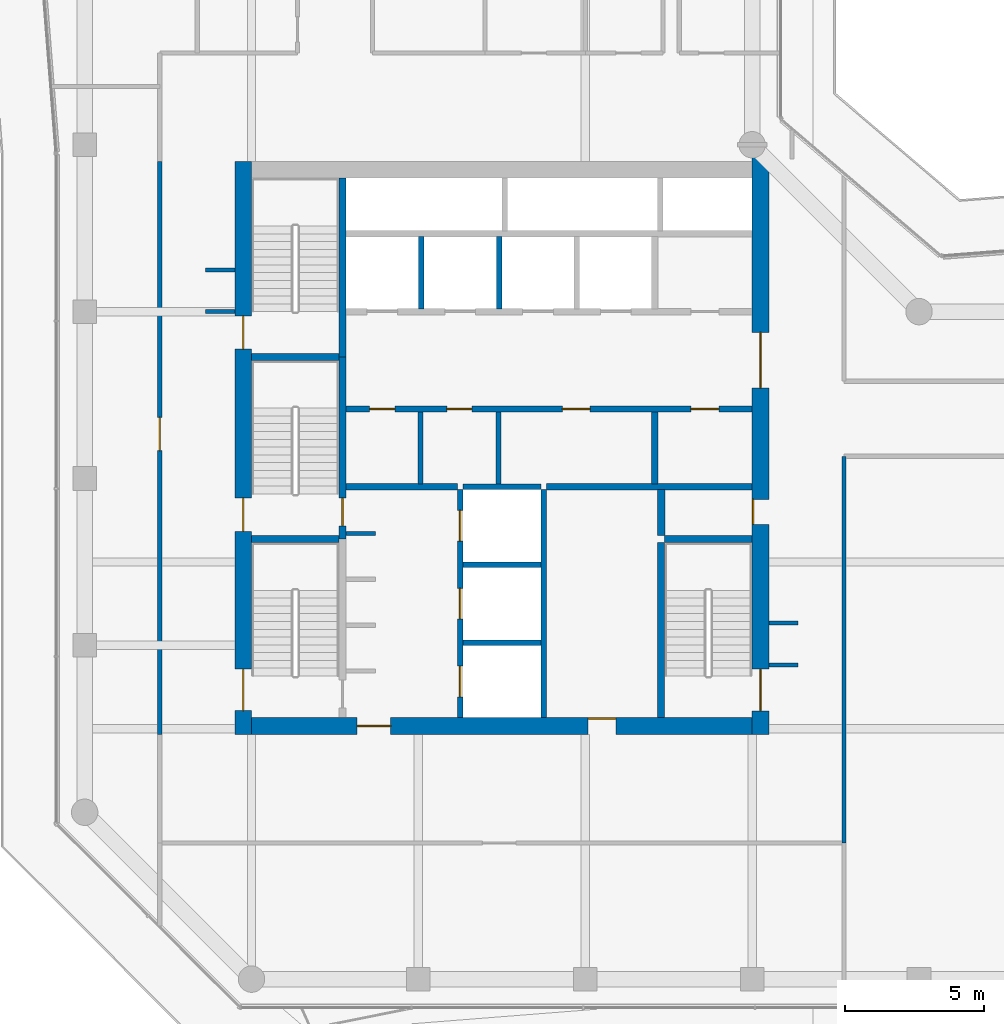
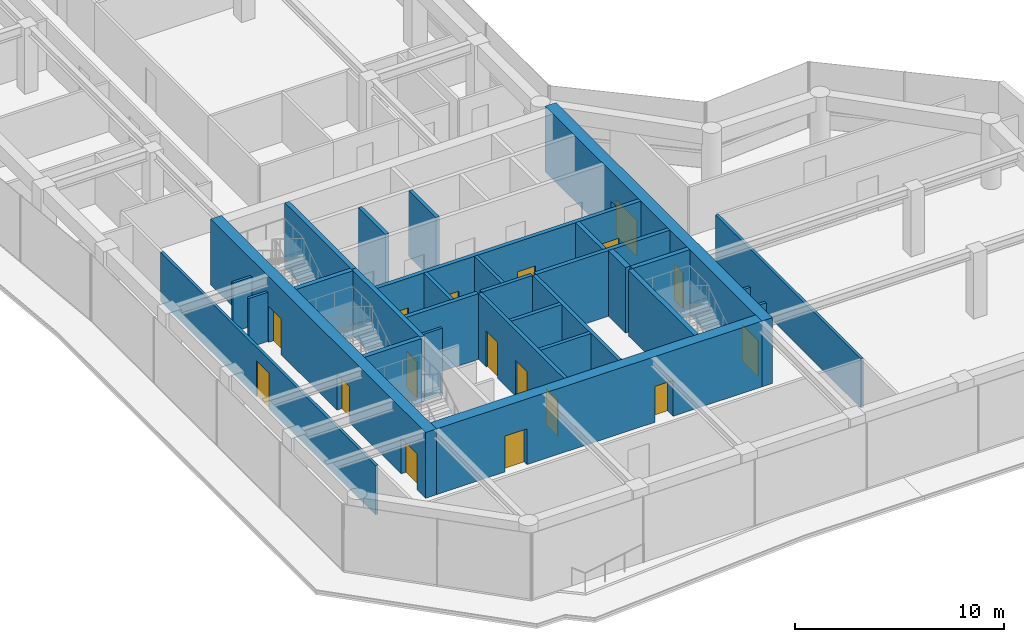
# One storey, part 19 of 23: 30 walls, 17 doors, 17 openings.
"""IFC4 building model written with IfcOpenShell, lengths in metres."""

from ifc_helpers import new_model, si_unit, direction, frame, frame_2d, origin, place, context, subcontext, project, spatial, rectangle, extrude, material, layer, layer_set, type_object, element, fill, save


model = new_model("IFC4")

# Units and contexts
model_context = context("Model", 3, precision=1e-05, world=origin(), true_north=direction((0.0, 1.0)))
body_context = subcontext(model_context, "Body", "Model", "MODEL_VIEW")
ifc_project = project(units=[si_unit("LENGTHUNIT", "METRE"), si_unit("AREAUNIT", "SQUARE_METRE"), si_unit("VOLUMEUNIT", "CUBIC_METRE"), si_unit("PLANEANGLEUNIT", "RADIAN"), si_unit("MASSUNIT", "GRAM", prefix="KILO")], contexts=[model_context])

# Site, building, storey
site_placement = place(None, origin())
site = spatial("IfcSite", under=ifc_project, at=site_placement, CompositionType="ELEMENT")
building_placement = place(site_placement, origin())
building = spatial("IfcBuilding", under=site, at=building_placement, Name="Welwitschia Terrace Campus", CompositionType="ELEMENT")
storey_placement = place(building_placement, frame((0.0, 0.0, 188.60009765625)))
storey = spatial("IfcBuildingStorey", under=building, at=storey_placement, Name="L42", CompositionType="ELEMENT", Elevation=188.60009765625)

# Walls
ifc_material_1 = material(Name="Concrete C32/40", Category="concrete")
ifc_layer_1 = layer(ifc_material_1, 0.175048828125)
ifc_layer_set_1 = layer_set([ifc_layer_1], Name="Concrete C32/40")
wall_type_1 = type_object("IfcWallType", Name="Core partition 175 Concrete C32/40", PredefinedType="PARTITIONING", material=ifc_layer_set_1)
for number, where, z_axis, x_axis, name in (
    (1, (12.074951171875, 13.800048828125, 0.0), (0.0, 0.0, 1.0), (0.0, 1.0, 0.0), "Core partition"),
    (2, (14.875, 13.800048828125, 0.0), (0.0, 0.0, 1.0), (0.0, 1.0, 0.0), "Core partition"),
):
    element("IfcWall", number, at=place(storey_placement, frame(where, z_axis=z_axis, x_axis=x_axis)), inside=storey, type_object=wall_type_1, Name=name, PredefinedType="PARTITIONING", context=body_context, shape_type="SweptSolid", body=[
        extrude(rectangle(XDim=2.599853515625, YDim=0.175048828125, at=frame_2d((1.2998046875, 0.0))), origin(), (0.0, 0.0, 1.0), 3.849853515625),
    ])
ifc_material_2 = material(Name="Concrete C32/40", Category="concrete")
ifc_layer_2 = layer(ifc_material_2, 0.22509765625)
ifc_layer_set_2 = layer_set([ifc_layer_2], Name="Concrete C32/40")
wall_type_2 = type_object("IfcWallType", Name="Core partition 225 Concrete C32/40", PredefinedType="PARTITIONING", material=ifc_layer_set_2)
wall_1_placement = place(storey_placement, frame((9.39990234375, 13.699951171875, 0.0), z_axis=(0.0, 0.0, 1.0), x_axis=(1.0, 0.0, 0.0)))
element("IfcWall", 3, at=wall_1_placement, inside=storey, type_object=wall_type_2, Name="Core partition", PredefinedType="PARTITIONING", context=body_context, shape_type="SweptSolid", body=[
    extrude(rectangle(XDim=4.0, YDim=0.22509765625, at=frame_2d((2.0, 0.0))), origin(), (0.0, 0.0, 1.0), 3.849853515625),
])
wall_2_placement = place(storey_placement, frame((16.60009765625, 13.699951171875, 0.0), z_axis=(0.0, 0.0, 1.0), x_axis=(1.0, 0.0, 0.0)))
element("IfcWall", 4, at=wall_2_placement, inside=storey, type_object=wall_type_2, Name="Core partition", PredefinedType="PARTITIONING", context=body_context, shape_type="SweptSolid", body=[
    extrude(rectangle(XDim=7.39990234375, YDim=0.22509765625, at=frame_2d((3.699951171875, 0.0))), origin(), (0.0, 0.0, 1.0), 3.849853515625),
])

# Wall, openings, doors
wall_3_placement = place(storey_placement, frame((9.39990234375, 16.5, 0.0), z_axis=(0.0, 0.0, 1.0), x_axis=(1.0, 0.0, 0.0)))
wall_3 = element("IfcWall", 5, at=wall_3_placement, inside=storey, type_object=wall_type_2, Name="Core partition", PredefinedType="PARTITIONING", context=body_context, shape_type="SweptSolid", body=[
    extrude(rectangle(XDim=14.60009765625, YDim=0.22509765625, at=frame_2d((7.300048828125, 0.0))), origin(), (0.0, 0.0, 1.0), 3.849853515625),
])
opening_1_placement = place(wall_3_placement, frame((0.85009765625, 0.0, 0.0)))
opening_1 = element("IfcOpeningElement", 6, at=opening_1_placement, cuts=wall_3, Name="Opening DR09", PredefinedType="OPENING", context=body_context, shape_type="SweptSolid", body=[
    extrude(rectangle(XDim=0.89990234375, YDim=2.10009765625, at=frame_2d((0.449951171875, 1.050048828125))), frame((0.0, 0.12255859375, 0.0), z_axis=(0.0, -1.0, 0.0), x_axis=(1.0, 0.0, 0.0)), (0.0, 0.0, 1.0), 0.2451171875),
])
opening_2_placement = place(wall_3_placement, frame((3.625, 0.0, 0.0)))
opening_2 = element("IfcOpeningElement", 7, at=opening_2_placement, cuts=wall_3, Name="Opening DR09", PredefinedType="OPENING", context=body_context, shape_type="SweptSolid", body=[
    extrude(rectangle(XDim=0.89990234375, YDim=2.10009765625, at=frame_2d((0.449951171875, 1.050048828125))), frame((0.0, 0.12255859375, 0.0), z_axis=(0.0, -1.0, 0.0), x_axis=(1.0, 0.0, 0.0)), (0.0, 0.0, 1.0), 0.2451171875),
])
opening_3_placement = place(wall_3_placement, frame((7.77490234375, 0.0, 0.0)))
opening_3 = element("IfcOpeningElement", 8, at=opening_3_placement, cuts=wall_3, Name="Opening DR10", PredefinedType="OPENING", context=body_context, shape_type="SweptSolid", body=[
    extrude(rectangle(XDim=1.0, YDim=2.10009765625, at=frame_2d((0.5, 1.050048828125))), frame((0.0, 0.12255859375, 0.0), z_axis=(0.0, -1.0, 0.0), x_axis=(1.0, 0.0, 0.0)), (0.0, 0.0, 1.0), 0.2451171875),
])
opening_4_placement = place(wall_3_placement, frame((12.39990234375, 0.0, 0.0)))
opening_4 = element("IfcOpeningElement", 9, at=opening_4_placement, cuts=wall_3, Name="Opening DR10", PredefinedType="OPENING", context=body_context, shape_type="SweptSolid", body=[
    extrude(rectangle(XDim=1.0, YDim=2.10009765625, at=frame_2d((0.5, 1.050048828125))), frame((0.0, 0.12255859375, 0.0), z_axis=(0.0, -1.0, 0.0), x_axis=(1.0, 0.0, 0.0)), (0.0, 0.0, 1.0), 0.2451171875),
])
ifc_material_3 = material(Name="Steel S275", Category="steel")
door_type_1 = type_object("IfcDoorType", Name="Core door DR09", OperationType="SINGLE_SWING_LEFT", PredefinedType="DOOR", material=ifc_material_3)
door_1_placement = place(opening_1_placement, origin())
door_1 = element("IfcDoor", 10, at=door_1_placement, inside=storey, type_object=door_type_1, Name="Door BAYL1-D", OperationType="SINGLE_SWING_LEFT", OverallHeight=2.10009765625, OverallWidth=0.89990234375, PredefinedType="DOOR", context=body_context, shape_type="SweptSolid", body=[
    extrude(rectangle(XDim=0.89990234375, YDim=2.10009765625, at=frame_2d((0.449951171875, 1.050048828125))), frame((0.0, 0.02490234375, 0.0), z_axis=(0.0, -1.0, 0.0), x_axis=(1.0, 0.0, 0.0)), (0.0, 0.0, 1.0), 0.050048828125),
])
fill(opening_1, door_1)
door_2_placement = place(opening_2_placement, origin())
door_2 = element("IfcDoor", 11, at=door_2_placement, inside=storey, type_object=door_type_1, Name="Door BAYL2-D", OperationType="SINGLE_SWING_LEFT", OverallHeight=2.10009765625, OverallWidth=0.89990234375, PredefinedType="DOOR", context=body_context, shape_type="SweptSolid", body=[
    extrude(rectangle(XDim=0.89990234375, YDim=2.10009765625, at=frame_2d((0.449951171875, 1.050048828125))), frame((0.0, 0.02490234375, 0.0), z_axis=(0.0, -1.0, 0.0), x_axis=(1.0, 0.0, 0.0)), (0.0, 0.0, 1.0), 0.050048828125),
])
fill(opening_2, door_2)
ifc_material_4 = material(Name="Steel S275", Category="steel")
door_type_2 = type_object("IfcDoorType", Name="Core door DR10", OperationType="SINGLE_SWING_LEFT", PredefinedType="DOOR", material=ifc_material_4)
door_3_placement = place(opening_3_placement, origin())
door_3 = element("IfcDoor", 12, at=door_3_placement, inside=storey, type_object=door_type_2, Name="Door BAYL3-D", OperationType="SINGLE_SWING_RIGHT", OverallHeight=2.10009765625, OverallWidth=1.0, PredefinedType="DOOR", context=body_context, shape_type="SweptSolid", body=[
    extrude(rectangle(XDim=1.0, YDim=2.10009765625, at=frame_2d((0.5, 1.050048828125))), frame((0.0, 0.02490234375, 0.0), z_axis=(0.0, -1.0, 0.0), x_axis=(1.0, 0.0, 0.0)), (0.0, 0.0, 1.0), 0.050048828125),
])
fill(opening_3, door_3)
door_4_placement = place(opening_4_placement, origin())
door_4 = element("IfcDoor", 13, at=door_4_placement, inside=storey, type_object=door_type_2, Name="Door EL-D", OperationType="SINGLE_SWING_RIGHT", OverallHeight=2.10009765625, OverallWidth=1.0, PredefinedType="DOOR", context=body_context, shape_type="SweptSolid", body=[
    extrude(rectangle(XDim=1.0, YDim=2.10009765625, at=frame_2d((0.5, 1.050048828125))), frame((0.0, 0.02490234375, 0.0), z_axis=(0.0, -1.0, 0.0), x_axis=(1.0, 0.0, 0.0)), (0.0, 0.0, 1.0), 0.050048828125),
])
fill(opening_4, door_4)

# Walls
wall_4_placement = place(storey_placement, frame((20.5, 13.800048828125, 0.0), z_axis=(0.0, 0.0, 1.0), x_axis=(0.0, 1.0, 0.0)))
element("IfcWall", 14, at=wall_4_placement, inside=storey, type_object=wall_type_2, Name="Core partition", PredefinedType="PARTITIONING", context=body_context, shape_type="SweptSolid", body=[
    extrude(rectangle(XDim=2.599853515625, YDim=0.22509765625, at=frame_2d((1.2998046875, 0.0))), origin(), (0.0, 0.0, 1.0), 3.849853515625),
])
ifc_material_5 = material(Name="Concrete C32/40", Category="concrete")
ifc_layer_3 = layer(ifc_material_5, 0.27490234375)
ifc_layer_set_3 = layer_set([ifc_layer_3], Name="Concrete C32/40")
wall_type_3 = type_object("IfcWallType", Name="Core partition 275 Concrete C32/40", PredefinedType="PARTITIONING", material=ifc_layer_set_3)
wall_5_placement = place(storey_placement, frame((20.72509765625, 11.949951171875, 0.0), z_axis=(0.0, 0.0, 1.0), x_axis=(0.0, 1.0, 0.0)))
element("IfcWall", 15, at=wall_5_placement, inside=storey, type_object=wall_type_3, Name="Core partition", PredefinedType="PARTITIONING", context=body_context, shape_type="SweptSolid", body=[
    extrude(rectangle(XDim=1.650146484375, YDim=0.27490234375, at=frame_2d((0.8251953125, 0.0))), origin(), (0.0, 0.0, 1.0), 3.849853515625),
])
ifc_material_6 = material(Name="Concrete C50/60", Category="concrete")
ifc_layer_4 = layer(ifc_material_6, 0.14990234375)
ifc_layer_set_4 = layer_set([ifc_layer_4], Name="Concrete C50/60")
wall_type_4 = type_object("IfcWallType", Name="Core wall 150 Concrete C50/60", PredefinedType="SHEAR", material=ifc_layer_set_4)
wall_6_placement = place(storey_placement, frame((9.39990234375, 12.02490234375, 0.0), z_axis=(0.0, 0.0, 1.0), x_axis=(1.0, 0.0, 0.0)))
element("IfcWall", 16, at=wall_6_placement, inside=storey, type_object=wall_type_4, Name="Core wall", PredefinedType="SHEAR", context=body_context, shape_type="SweptSolid", body=[
    extrude(rectangle(XDim=1.050048828125, YDim=0.14990234375, at=frame_2d((0.52490234375, 0.0))), origin(), (0.0, 0.0, 1.0), 3.849853515625),
])
ifc_material_7 = material(Name="Concrete C50/60", Category="concrete")
ifc_layer_5 = layer(ifc_material_7, 0.199951171875)
ifc_layer_set_5 = layer_set([ifc_layer_5], Name="Concrete C50/60")
wall_type_5 = type_object("IfcWallType", Name="Core wall 200 Concrete C50/60", PredefinedType="SHEAR", material=ifc_layer_set_5)
for number, where, z_axis, x_axis, name in (
    (17, (13.60009765625, 8.10009765625, 0.0), (0.0, 0.0, 1.0), (1.0, 0.0, 0.0), "Core wall"),
    (18, (13.60009765625, 10.89990234375, 0.0), (0.0, 0.0, 1.0), (1.0, 0.0, 0.0), "Core wall"),
    (19, (13.60009765625, 13.699951171875, 0.0), (0.0, 0.0, 1.0), (1.0, 0.0, 0.0), "Core wall"),
):
    element("IfcWall", number, at=place(storey_placement, frame(where, z_axis=z_axis, x_axis=x_axis)), inside=storey, type_object=wall_type_5, Name=name, PredefinedType="SHEAR", context=body_context, shape_type="SweptSolid", body=[
        extrude(rectangle(XDim=2.7998046875, YDim=0.199951171875, at=frame_2d((1.39990234375, 0.0))), origin(), (0.0, 0.0, 1.0), 3.849853515625),
    ])

# Wall, openings, doors
wall_7_placement = place(storey_placement, frame((13.5, 5.39990234375, 0.0), z_axis=(0.0, 0.0, 1.0), x_axis=(0.0, 1.0, 0.0)))
wall_7 = element("IfcWall", 20, at=wall_7_placement, inside=storey, type_object=wall_type_5, Name="Core wall", PredefinedType="SHEAR", context=body_context, shape_type="SweptSolid", body=[
    extrude(rectangle(XDim=8.2001953125, YDim=0.199951171875, at=frame_2d((4.10009765625, 0.0))), origin(), (0.0, 0.0, 1.0), 3.849853515625),
])
opening_5_placement = place(wall_7_placement, frame((0.75, 0.0, 0.0)))
opening_5 = element("IfcOpeningElement", 21, at=opening_5_placement, cuts=wall_7, Name="Opening LD", PredefinedType="OPENING", context=body_context, shape_type="SweptSolid", body=[
    extrude(rectangle(XDim=1.10009765625, YDim=2.10009765625, at=frame_2d((0.550048828125, 1.050048828125))), frame((0.0, 0.10986328125, 0.0), z_axis=(0.0, -1.0, 0.0), x_axis=(1.0, 0.0, 0.0)), (0.0, 0.0, 1.0), 0.219970703125),
])
opening_6_placement = place(wall_7_placement, frame((3.550048828125, 0.0, 0.0)))
opening_6 = element("IfcOpeningElement", 22, at=opening_6_placement, cuts=wall_7, Name="Opening LD", PredefinedType="OPENING", context=body_context, shape_type="SweptSolid", body=[
    extrude(rectangle(XDim=1.10009765625, YDim=2.10009765625, at=frame_2d((0.550048828125, 1.050048828125))), frame((0.0, 0.10986328125, 0.0), z_axis=(0.0, -1.0, 0.0), x_axis=(1.0, 0.0, 0.0)), (0.0, 0.0, 1.0), 0.219970703125),
])
opening_7_placement = place(wall_7_placement, frame((6.35009765625, 0.0, 0.0)))
opening_7 = element("IfcOpeningElement", 23, at=opening_7_placement, cuts=wall_7, Name="Opening LD", PredefinedType="OPENING", context=body_context, shape_type="SweptSolid", body=[
    extrude(rectangle(XDim=1.10009765625, YDim=2.10009765625, at=frame_2d((0.550048828125, 1.050048828125))), frame((0.0, 0.10986328125, 0.0), z_axis=(0.0, -1.0, 0.0), x_axis=(1.0, 0.0, 0.0)), (0.0, 0.0, 1.0), 0.219970703125),
])
ifc_material_8 = material(Name="Stainless steel 304", Category="steel")
door_type_3 = type_object("IfcDoorType", Name="Lift landing door", OperationType="DOUBLE_DOOR_SLIDING", PredefinedType="DOOR", material=ifc_material_8)
door_5_placement = place(opening_5_placement, origin())
door_5 = element("IfcDoor", 24, at=door_5_placement, inside=storey, type_object=door_type_3, Name="Landing door FF1", OperationType="DOUBLE_DOOR_SLIDING", OverallHeight=2.10009765625, OverallWidth=1.10009765625, PredefinedType="DOOR", context=body_context, shape_type="SweptSolid", body=[
    extrude(rectangle(XDim=1.10009765625, YDim=2.10009765625, at=frame_2d((0.550048828125, 1.050048828125))), frame((0.0, 0.02490234375, 0.0), z_axis=(0.0, -1.0, 0.0), x_axis=(1.0, 0.0, 0.0)), (0.0, 0.0, 1.0), 0.050048828125),
])
fill(opening_5, door_5)
door_6_placement = place(opening_6_placement, origin())
door_6 = element("IfcDoor", 25, at=door_6_placement, inside=storey, type_object=door_type_3, Name="Landing door FF2", OperationType="DOUBLE_DOOR_SLIDING", OverallHeight=2.10009765625, OverallWidth=1.10009765625, PredefinedType="DOOR", context=body_context, shape_type="SweptSolid", body=[
    extrude(rectangle(XDim=1.10009765625, YDim=2.10009765625, at=frame_2d((0.550048828125, 1.050048828125))), frame((0.0, 0.02490234375, 0.0), z_axis=(0.0, -1.0, 0.0), x_axis=(1.0, 0.0, 0.0)), (0.0, 0.0, 1.0), 0.050048828125),
])
fill(opening_6, door_6)
door_7_placement = place(opening_7_placement, origin())
door_7 = element("IfcDoor", 26, at=door_7_placement, inside=storey, type_object=door_type_3, Name="Landing door SV1", OperationType="DOUBLE_DOOR_SLIDING", OverallHeight=2.10009765625, OverallWidth=1.10009765625, PredefinedType="DOOR", context=body_context, shape_type="SweptSolid", body=[
    extrude(rectangle(XDim=1.10009765625, YDim=2.10009765625, at=frame_2d((0.550048828125, 1.050048828125))), frame((0.0, 0.02490234375, 0.0), z_axis=(0.0, -1.0, 0.0), x_axis=(1.0, 0.0, 0.0)), (0.0, 0.0, 1.0), 0.050048828125),
])
fill(opening_7, door_7)

# Walls
wall_8_placement = place(storey_placement, frame((16.5, 5.39990234375, 0.0), z_axis=(0.0, 0.0, 1.0), x_axis=(0.0, 1.0, 0.0)))
element("IfcWall", 27, at=wall_8_placement, inside=storey, type_object=wall_type_5, Name="Core wall", PredefinedType="SHEAR", context=body_context, shape_type="SweptSolid", body=[
    extrude(rectangle(XDim=8.2001953125, YDim=0.199951171875, at=frame_2d((4.10009765625, 0.0))), origin(), (0.0, 0.0, 1.0), 3.849853515625),
])
ifc_material_9 = material(Name="Concrete C50/60", Category="concrete")
ifc_layer_6 = layer(ifc_material_9, 0.25)
ifc_layer_set_6 = layer_set([ifc_layer_6], Name="Concrete C50/60")
wall_type_6 = type_object("IfcWallType", Name="Core wall 250 Concrete C50/60", PredefinedType="SHEAR", material=ifc_layer_set_6)
for number, where, z_axis, x_axis, name in (
    (28, (6.0, 11.824951171875, 0.0), (0.0, 0.0, 1.0), (1.0, 0.0, 0.0), "Core wall"),
    (29, (20.85009765625, 11.824951171875, 0.0), (0.0, 0.0, 1.0), (1.0, 0.0, 0.0), "Core wall"),
    (30, (6.0, 18.375, 0.0), (0.0, 0.0, 1.0), (1.0, 0.0, 0.0), "Core wall"),
):
    element("IfcWall", number, at=place(storey_placement, frame(where, z_axis=z_axis, x_axis=x_axis)), inside=storey, type_object=wall_type_6, Name=name, PredefinedType="SHEAR", context=body_context, shape_type="SweptSolid", body=[
        extrude(rectangle(XDim=3.14990234375, YDim=0.25, at=frame_2d((1.574951171875, 0.0))), origin(), (0.0, 0.0, 1.0), 3.849853515625),
    ])

# Wall, opening, door
wall_9_placement = place(storey_placement, frame((9.27490234375, 18.375, 0.0), z_axis=(0.0, 0.0, 1.0), x_axis=(0.0, -1.0, 0.0)))
wall_9 = element("IfcWall", 31, at=wall_9_placement, inside=storey, type_object=wall_type_6, Name="Core wall", PredefinedType="SHEAR", context=body_context, shape_type="SweptSolid", body=[
    extrude(rectangle(XDim=6.550048828125, YDim=0.25, at=frame_2d((3.27490234375, 0.0))), origin(), (0.0, 0.0, 1.0), 3.849853515625),
])
opening_8_placement = place(wall_9_placement, frame((5.074951171875, 0.0, 0.0)))
opening_8 = element("IfcOpeningElement", 32, at=opening_8_placement, cuts=wall_9, Name="Opening DS10", PredefinedType="OPENING", context=body_context, shape_type="SweptSolid", body=[
    extrude(rectangle(XDim=1.0, YDim=2.10009765625, at=frame_2d((0.5, 1.050048828125))), frame((0.0, 0.135009765625, 0.0), z_axis=(0.0, -1.0, 0.0), x_axis=(1.0, 0.0, 0.0)), (0.0, 0.0, 1.0), 0.27001953125),
])
ifc_material_10 = material(Name="Steel S275", Category="steel")
door_type_4 = type_object("IfcDoorType", Name="Core door DS10", OperationType="SINGLE_SWING_LEFT", PredefinedType="DOOR", material=ifc_material_10)
door_8_placement = place(opening_8_placement, origin())
door_8 = element("IfcDoor", 33, at=door_8_placement, inside=storey, type_object=door_type_4, Name="Door S3-FL", OperationType="SINGLE_SWING_RIGHT", OverallHeight=2.10009765625, OverallWidth=1.0, PredefinedType="DOOR", context=body_context, shape_type="SweptSolid", body=[
    extrude(rectangle(XDim=1.0, YDim=2.10009765625, at=frame_2d((0.5, 1.050048828125))), frame((0.0, 0.02490234375, 0.0), z_axis=(0.0, -1.0, 0.0), x_axis=(1.0, 0.0, 0.0)), (0.0, 0.0, 1.0), 0.050048828125),
])
fill(opening_8, door_8)

# Walls
wall_10_placement = place(storey_placement, frame((9.27490234375, 18.375, 0.0), z_axis=(0.0, 0.0, 1.0), x_axis=(0.0, 1.0, 0.0)))
element("IfcWall", 34, at=wall_10_placement, inside=storey, type_object=wall_type_6, Name="Core wall", PredefinedType="SHEAR", context=body_context, shape_type="SweptSolid", body=[
    extrude(rectangle(XDim=6.425048828125, YDim=0.25, at=frame_2d((3.21240234375, 0.0))), origin(), (0.0, 0.0, 1.0), 3.849853515625),
])
wall_11_placement = place(storey_placement, frame((20.72509765625, 5.39990234375, 0.0), z_axis=(0.0, 0.0, 1.0), x_axis=(0.0, 1.0, 0.0)))
element("IfcWall", 35, at=wall_11_placement, inside=storey, type_object=wall_type_6, Name="Core wall", PredefinedType="SHEAR", context=body_context, shape_type="SweptSolid", body=[
    extrude(rectangle(XDim=6.300048828125, YDim=0.25, at=frame_2d((3.14990234375, 0.0))), origin(), (0.0, 0.0, 1.0), 3.849853515625),
])

# Wall, openings, doors
ifc_material_11 = material(Name="Concrete C60/75", Category="concrete")
ifc_layer_7 = layer(ifc_material_11, 0.60009765625)
ifc_layer_set_7 = layer_set([ifc_layer_7], Name="Concrete C60/75")
wall_type_7 = type_object("IfcWallType", Name="Core wall 600 Concrete C60/75", PredefinedType="SHEAR", material=ifc_layer_set_7)
wall_12_placement = place(storey_placement, frame((5.699951171875, 4.800048828125, 0.0), z_axis=(0.0, 0.0, 1.0), x_axis=(0.0, 1.0, 0.0)))
wall_12 = element("IfcWall", 36, at=wall_12_placement, inside=storey, type_object=wall_type_7, Name="Core outer wall", PredefinedType="SHEAR", context=body_context, shape_type="SweptSolid", body=[
    extrude(rectangle(XDim=20.599853515625, YDim=0.60009765625, at=frame_2d((10.2998046875, 0.0))), origin(), (0.0, 0.0, 1.0), 3.849853515625),
])
opening_9_placement = place(wall_12_placement, frame((0.85009765625, 0.0, 0.0)))
opening_9 = element("IfcOpeningElement", 37, at=opening_9_placement, cuts=wall_12, Name="Opening DS15", PredefinedType="OPENING", context=body_context, shape_type="SweptSolid", body=[
    extrude(rectangle(XDim=1.5, YDim=2.10009765625, at=frame_2d((0.75, 1.050048828125))), frame((0.0, 0.31005859375, 0.0), z_axis=(0.0, -1.0, 0.0), x_axis=(1.0, 0.0, 0.0)), (0.0, 0.0, 1.0), 0.6201171875),
])
opening_10_placement = place(wall_12_placement, frame((7.300048828125, 0.0, 0.0)))
opening_10 = element("IfcOpeningElement", 38, at=opening_10_placement, cuts=wall_12, Name="Opening DS12", PredefinedType="OPENING", context=body_context, shape_type="SweptSolid", body=[
    extrude(rectangle(XDim=1.199951171875, YDim=2.10009765625, at=frame_2d((0.60009765625, 1.050048828125))), frame((0.0, 0.31005859375, 0.0), z_axis=(0.0, -1.0, 0.0), x_axis=(1.0, 0.0, 0.0)), (0.0, 0.0, 1.0), 0.6201171875),
])
opening_11_placement = place(wall_12_placement, frame((13.85009765625, 0.0, 0.0)))
opening_11 = element("IfcOpeningElement", 39, at=opening_11_placement, cuts=wall_12, Name="Opening DS12", PredefinedType="OPENING", context=body_context, shape_type="SweptSolid", body=[
    extrude(rectangle(XDim=1.199951171875, YDim=2.10009765625, at=frame_2d((0.60009765625, 1.050048828125))), frame((0.0, 0.31005859375, 0.0), z_axis=(0.0, -1.0, 0.0), x_axis=(1.0, 0.0, 0.0)), (0.0, 0.0, 1.0), 0.6201171875),
])
ifc_material_12 = material(Name="Steel S275", Category="steel")
door_type_5 = type_object("IfcDoorType", Name="Core door DS12", OperationType="SINGLE_SWING_LEFT", PredefinedType="DOOR", material=ifc_material_12)
door_9_placement = place(opening_10_placement, origin())
door_9 = element("IfcDoor", 40, at=door_9_placement, inside=storey, type_object=door_type_5, Name="Door S3-out", OperationType="SINGLE_SWING_LEFT", OverallHeight=2.10009765625, OverallWidth=1.199951171875, PredefinedType="DOOR", context=body_context, shape_type="SweptSolid", body=[
    extrude(rectangle(XDim=1.199951171875, YDim=2.10009765625, at=frame_2d((0.60009765625, 1.050048828125))), frame((0.0, 0.02490234375, 0.0), z_axis=(0.0, -1.0, 0.0), x_axis=(1.0, 0.0, 0.0)), (0.0, 0.0, 1.0), 0.050048828125),
])
fill(opening_10, door_9)
door_10_placement = place(opening_11_placement, origin())
door_10 = element("IfcDoor", 41, at=door_10_placement, inside=storey, type_object=door_type_5, Name="Door S4-out", OperationType="SINGLE_SWING_RIGHT", OverallHeight=2.10009765625, OverallWidth=1.199951171875, PredefinedType="DOOR", context=body_context, shape_type="SweptSolid", body=[
    extrude(rectangle(XDim=1.199951171875, YDim=2.10009765625, at=frame_2d((0.60009765625, 1.050048828125))), frame((0.0, 0.02490234375, 0.0), z_axis=(0.0, -1.0, 0.0), x_axis=(1.0, 0.0, 0.0)), (0.0, 0.0, 1.0), 0.050048828125),
])
fill(opening_11, door_10)
ifc_material_13 = material(Name="Steel S275", Category="steel")
door_type_6 = type_object("IfcDoorType", Name="Core door DS15", OperationType="DOUBLE_DOOR_SINGLE_SWING", PredefinedType="DOOR", material=ifc_material_13)
door_11_placement = place(opening_9_placement, origin())
door_11 = element("IfcDoor", 42, at=door_11_placement, inside=storey, type_object=door_type_6, Name="Door S1-out", OperationType="DOUBLE_DOOR_SINGLE_SWING", OverallHeight=2.10009765625, OverallWidth=1.5, PredefinedType="DOOR", context=body_context, shape_type="SweptSolid", body=[
    extrude(rectangle(XDim=1.5, YDim=2.10009765625, at=frame_2d((0.75, 1.050048828125))), frame((0.0, 0.02490234375, 0.0), z_axis=(0.0, -1.0, 0.0), x_axis=(1.0, 0.0, 0.0)), (0.0, 0.0, 1.0), 0.050048828125),
])
fill(opening_9, door_11)

wall_13_placement = place(storey_placement, frame((24.300048828125, 25.554931640625, 0.0), z_axis=(0.0, 0.0, 1.0), x_axis=(0.0, -1.0, 0.0)))
wall_13 = element("IfcWall", 43, at=wall_13_placement, inside=storey, type_object=wall_type_7, Name="Core outer wall", PredefinedType="SHEAR", context=body_context, shape_type="SweptSolid", body=[
    extrude(rectangle(XDim=20.7548828125, YDim=0.60009765625, at=frame_2d((10.37744140625, 0.0))), origin(), (0.0, 0.0, 1.0), 3.849853515625),
])
opening_12_placement = place(wall_13_placement, frame((18.405029296875, 0.0, 0.0)))
opening_12 = element("IfcOpeningElement", 44, at=opening_12_placement, cuts=wall_13, Name="Opening DS15", PredefinedType="OPENING", context=body_context, shape_type="SweptSolid", body=[
    extrude(rectangle(XDim=1.5, YDim=2.10009765625, at=frame_2d((0.75, 1.050048828125))), frame((0.0, 0.31005859375, 0.0), z_axis=(0.0, -1.0, 0.0), x_axis=(1.0, 0.0, 0.0)), (0.0, 0.0, 1.0), 0.6201171875),
])
opening_13_placement = place(wall_13_placement, frame((12.304931640625, 0.0, 0.0)))
opening_13 = element("IfcOpeningElement", 45, at=opening_13_placement, cuts=wall_13, Name="Opening DR09", PredefinedType="OPENING", context=body_context, shape_type="SweptSolid", body=[
    extrude(rectangle(XDim=0.89990234375, YDim=2.10009765625, at=frame_2d((0.449951171875, 1.050048828125))), frame((0.0, 0.31005859375, 0.0), z_axis=(0.0, -1.0, 0.0), x_axis=(1.0, 0.0, 0.0)), (0.0, 0.0, 1.0), 0.6201171875),
])
opening_14_placement = place(wall_13_placement, frame((6.304931640625, 0.0, 0.0)))
opening_14 = element("IfcOpeningElement", 46, at=opening_14_placement, cuts=wall_13, Name="Opening DL20", PredefinedType="OPENING", context=body_context, shape_type="SweptSolid", body=[
    extrude(rectangle(XDim=2.0, YDim=2.10009765625, at=frame_2d((1.0, 1.050048828125))), frame((0.0, 0.31005859375, 0.0), z_axis=(0.0, -1.0, 0.0), x_axis=(1.0, 0.0, 0.0)), (0.0, 0.0, 1.0), 0.6201171875),
])
ifc_material_14 = material(Name="Steel S275", Category="steel")
door_type_7 = type_object("IfcDoorType", Name="Core door DL20", OperationType="DOUBLE_DOOR_SINGLE_SWING", PredefinedType="DOOR", material=ifc_material_14)
door_12_placement = place(opening_14_placement, origin())
door_12 = element("IfcDoor", 47, at=door_12_placement, inside=storey, type_object=door_type_7, Name="Door LOBBY-out", OperationType="DOUBLE_DOOR_SINGLE_SWING", OverallHeight=2.10009765625, OverallWidth=2.0, PredefinedType="DOOR", context=body_context, shape_type="SweptSolid", body=[
    extrude(rectangle(XDim=2.0, YDim=2.10009765625, at=frame_2d((1.0, 1.050048828125))), frame((0.0, 0.02490234375, 0.0), z_axis=(0.0, -1.0, 0.0), x_axis=(1.0, 0.0, 0.0)), (0.0, 0.0, 1.0), 0.050048828125),
])
fill(opening_14, door_12)
door_13_placement = place(opening_13_placement, origin())
door_13 = element("IfcDoor", 48, at=door_13_placement, inside=storey, type_object=door_type_1, Name="Door F1B-out", OperationType="SINGLE_SWING_RIGHT", OverallHeight=2.10009765625, OverallWidth=0.89990234375, PredefinedType="DOOR", context=body_context, shape_type="SweptSolid", body=[
    extrude(rectangle(XDim=0.89990234375, YDim=2.10009765625, at=frame_2d((0.449951171875, 1.050048828125))), frame((0.0, -0.23974609375, 0.0), z_axis=(0.0, -1.0, 0.0), x_axis=(1.0, 0.0, 0.0)), (0.0, 0.0, 1.0), 0.050048828125),
])
fill(opening_13, door_13)
door_14_placement = place(opening_12_placement, origin())
door_14 = element("IfcDoor", 49, at=door_14_placement, inside=storey, type_object=door_type_6, Name="Door S2-out", OperationType="DOUBLE_DOOR_SINGLE_SWING", OverallHeight=2.10009765625, OverallWidth=1.5, PredefinedType="DOOR", context=body_context, shape_type="SweptSolid", body=[
    extrude(rectangle(XDim=1.5, YDim=2.10009765625, at=frame_2d((0.75, 1.050048828125))), frame((0.0, 0.02490234375, 0.0), z_axis=(0.0, -1.0, 0.0), x_axis=(1.0, 0.0, 0.0)), (0.0, 0.0, 1.0), 0.050048828125),
])
fill(opening_12, door_14)

wall_14_placement = place(storey_placement, frame((24.0, 5.10009765625, 0.0), z_axis=(0.0, 0.0, 1.0), x_axis=(-1.0, 0.0, 0.0)))
wall_14 = element("IfcWall", 50, at=wall_14_placement, inside=storey, type_object=wall_type_7, Name="Core outer wall", PredefinedType="SHEAR", context=body_context, shape_type="SweptSolid", body=[
    extrude(rectangle(XDim=18.0, YDim=0.60009765625, at=frame_2d((9.0, 0.0))), origin(), (0.0, 0.0, 1.0), 3.849853515625),
])
opening_15_placement = place(wall_14_placement, frame((13.0, 0.0, 0.0)))
opening_15 = element("IfcOpeningElement", 51, at=opening_15_placement, cuts=wall_14, Name="Opening DF12", PredefinedType="OPENING", context=body_context, shape_type="SweptSolid", body=[
    extrude(rectangle(XDim=1.199951171875, YDim=2.10009765625, at=frame_2d((0.60009765625, 1.050048828125))), frame((0.0, 0.31005859375, 0.0), z_axis=(0.0, -1.0, 0.0), x_axis=(1.0, 0.0, 0.0)), (0.0, 0.0, 1.0), 0.6201171875),
])
opening_16_placement = place(wall_14_placement, frame((4.89990234375, 0.0, 0.0)))
opening_16 = element("IfcOpeningElement", 52, at=opening_16_placement, cuts=wall_14, Name="Opening DR10", PredefinedType="OPENING", context=body_context, shape_type="SweptSolid", body=[
    extrude(rectangle(XDim=1.0, YDim=2.10009765625, at=frame_2d((0.5, 1.050048828125))), frame((0.0, 0.31005859375, 0.0), z_axis=(0.0, -1.0, 0.0), x_axis=(1.0, 0.0, 0.0)), (0.0, 0.0, 1.0), 0.6201171875),
])
ifc_material_15 = material(Name="Steel S275", Category="steel")
door_type_8 = type_object("IfcDoorType", Name="Core door DF12", OperationType="SINGLE_SWING_LEFT", PredefinedType="DOOR", material=ifc_material_15)
door_15_placement = place(opening_15_placement, origin())
door_15 = element("IfcDoor", 53, at=door_15_placement, inside=storey, type_object=door_type_8, Name="Door FL-out", OperationType="SINGLE_SWING_RIGHT", OverallHeight=2.10009765625, OverallWidth=1.199951171875, PredefinedType="DOOR", context=body_context, shape_type="SweptSolid", body=[
    extrude(rectangle(XDim=1.199951171875, YDim=2.10009765625, at=frame_2d((0.60009765625, 1.050048828125))), frame((0.0, 0.02490234375, 0.0), z_axis=(0.0, -1.0, 0.0), x_axis=(1.0, 0.0, 0.0)), (0.0, 0.0, 1.0), 0.050048828125),
])
fill(opening_15, door_15)
door_16_placement = place(opening_16_placement, origin())
door_16 = element("IfcDoor", 54, at=door_16_placement, inside=storey, type_object=door_type_2, Name="Door F1-out", OperationType="SINGLE_SWING_LEFT", OverallHeight=2.10009765625, OverallWidth=1.0, PredefinedType="DOOR", context=body_context, shape_type="SweptSolid", body=[
    extrude(rectangle(XDim=1.0, YDim=2.10009765625, at=frame_2d((0.5, 1.050048828125))), frame((0.0, -0.23974609375, 0.0), z_axis=(0.0, -1.0, 0.0), x_axis=(1.0, 0.0, 0.0)), (0.0, 0.0, 1.0), 0.050048828125),
])
fill(opening_16, door_16)

# Wall, opening, door
ifc_material_16 = material(Name="Gypsum board on steel studs", Category="steel")
ifc_layer_8 = layer(ifc_material_16, 0.14990234375)
ifc_layer_set_8 = layer_set([ifc_layer_8], Name="Gypsum board on steel studs")
wall_type_8 = type_object("IfcWallType", Name="Corridor partition 150 EI 30", PredefinedType="PARTITIONING", material=ifc_layer_set_8)
wall_15_placement = place(storey_placement, frame((2.699951171875, 4.800048828125, 0.0), z_axis=(0.0, 0.0, 1.0), x_axis=(0.0, 1.0, 0.0)))
wall_15 = element("IfcWall", 55, at=wall_15_placement, inside=storey, type_object=wall_type_8, Name="Partition", PredefinedType="PARTITIONING", context=body_context, shape_type="SweptSolid", body=[
    extrude(rectangle(XDim=20.599853515625, YDim=0.14990234375, at=frame_2d((10.2998046875, 0.0))), origin(), (0.0, 0.0, 1.0), 2.8798828125),
])
opening_17_placement = place(wall_15_placement, frame((10.199951171875, 0.0, 0.0)))
opening_17 = element("IfcOpeningElement", 56, at=opening_17_placement, cuts=wall_15, Name="Opening DI12", PredefinedType="OPENING", context=body_context, shape_type="SweptSolid", body=[
    extrude(rectangle(XDim=1.199951171875, YDim=2.10009765625, at=frame_2d((0.60009765625, 1.050048828125))), frame((0.0, 0.0849609375, 0.0), z_axis=(0.0, -1.0, 0.0), x_axis=(1.0, 0.0, 0.0)), (0.0, 0.0, 1.0), 0.169921875),
])
ifc_material_17 = material(Name="Timber veneered door", Category="wood")
door_type_9 = type_object("IfcDoorType", Name="Interior door DI12", OperationType="NOTDEFINED", PredefinedType="DOOR", material=ifc_material_17)
door_17_placement = place(opening_17_placement, origin())
door_17 = element("IfcDoor", 57, at=door_17_placement, inside=storey, type_object=door_type_9, Name="Door L42 823", OperationType="SINGLE_SWING_RIGHT", OverallHeight=2.10009765625, OverallWidth=1.199951171875, PredefinedType="DOOR", context=body_context, shape_type="SweptSolid", body=[
    extrude(rectangle(XDim=1.199951171875, YDim=2.10009765625, at=frame_2d((0.60009765625, 1.050048828125))), frame((0.0, 0.02490234375, 0.0), z_axis=(0.0, -1.0, 0.0), x_axis=(1.0, 0.0, 0.0)), (0.0, 0.0, 1.0), 0.050048828125),
])
fill(opening_17, door_17)

# Walls
for number, where, z_axis, x_axis, name in (
    (58, (4.35009765625, 20.0, 0.0), (0.0, 0.0, 1.0), (1.0, 0.0, 0.0), "Partition"),
    (59, (4.35009765625, 21.5, 0.0), (0.0, 0.0, 1.0), (1.0, 0.0, 0.0), "Partition"),
    (60, (24.60009765625, 7.300048828125, 0.0), (0.0, 0.0, 1.0), (1.0, 0.0, 0.0), "Partition"),
    (61, (24.60009765625, 8.800048828125, 0.0), (0.0, 0.0, 1.0), (1.0, 0.0, 0.0), "Partition"),
):
    element("IfcWall", number, at=place(storey_placement, frame(where, z_axis=z_axis, x_axis=x_axis)), inside=storey, type_object=wall_type_8, Name=name, PredefinedType="PARTITIONING", context=body_context, shape_type="SweptSolid", body=[
        extrude(rectangle(XDim=1.0498046875, YDim=0.14990234375, at=frame_2d((0.52490234375, 0.0))), origin(), (0.0, 0.0, 1.0), 2.8798828125),
    ])
wall_16_placement = place(storey_placement, frame((27.300048828125, 0.89990234375, 0.0), z_axis=(0.0, 0.0, 1.0), x_axis=(0.0, 1.0, 0.0)))
element("IfcWall", 62, at=wall_16_placement, inside=storey, type_object=wall_type_8, Name="Partition", PredefinedType="PARTITIONING", context=body_context, shape_type="SweptSolid", body=[
    extrude(rectangle(XDim=13.900146484375, YDim=0.14990234375, at=frame_2d((6.9501953125, 0.0))), origin(), (0.0, 0.0, 1.0), 2.8798828125),
])
ifc_material_18 = material(Name="Concrete C32/40", Category="concrete")
ifc_layer_9 = layer(ifc_material_18, 0.199951171875)
ifc_layer_set_9 = layer_set([ifc_layer_9], Name="Concrete C32/40")
wall_type_9 = type_object("IfcWallType", Name="Shaft wall 200 Concrete C32/40", PredefinedType="SOLIDWALL", material=ifc_layer_set_9)
for number, where, z_axis, x_axis, name in (
    (63, (12.10009765625, 20.10009765625, 0.0), (0.0, 0.0, 1.0), (0.0, 1.0, 0.0), "Shaft wall"),
    (64, (14.89990234375, 20.10009765625, 0.0), (0.0, 0.0, 1.0), (0.0, 1.0, 0.0), "Shaft wall"),
):
    element("IfcWall", number, at=place(storey_placement, frame(where, z_axis=z_axis, x_axis=x_axis)), inside=storey, type_object=wall_type_9, Name=name, PredefinedType="SOLIDWALL", context=body_context, shape_type="SweptSolid", body=[
        extrude(rectangle(XDim=2.599853515625, YDim=0.199951171875, at=frame_2d((1.2998046875, 0.0))), origin(), (0.0, 0.0, 1.0), 3.849853515625),
    ])

save(model, "model.ifc")
